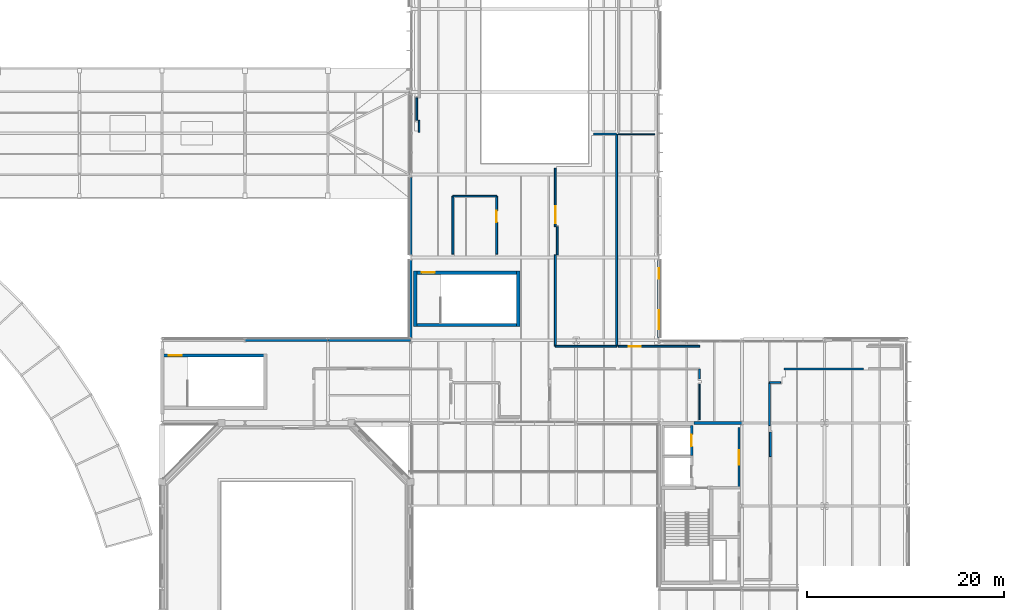
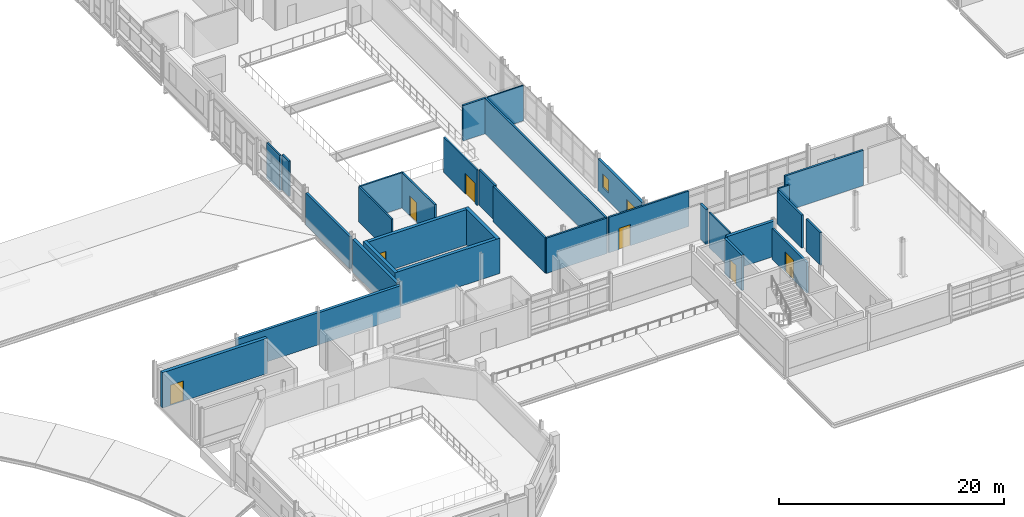
# One storey, part 122 of 151: 32 walls, 7 doors, 2 windows, 9 openings.
"""IFC4 building model written with IfcOpenShell, lengths in metres."""

from ifc_helpers import new_model, si_unit, direction, frame, frame_2d, origin, place, context, subcontext, project, spatial, rectangle, extrude, material, layer, layer_set, type_object, element, fill, save


model = new_model("IFC4")

# Units and contexts
model_context = context("Model", 3, precision=1e-05, world=origin(), true_north=direction((0.0, 1.0)))
body_context = subcontext(model_context, "Body", "Model", "MODEL_VIEW")
ifc_project = project(units=[si_unit("LENGTHUNIT", "METRE"), si_unit("AREAUNIT", "SQUARE_METRE"), si_unit("VOLUMEUNIT", "CUBIC_METRE"), si_unit("PLANEANGLEUNIT", "RADIAN"), si_unit("MASSUNIT", "GRAM", prefix="KILO")], contexts=[model_context])

# Site, building, storey
site_placement = place(None, origin())
site = spatial("IfcSite", under=ifc_project, at=site_placement, CompositionType="ELEMENT")
building_placement = place(site_placement, origin())
building = spatial("IfcBuilding", under=site, at=building_placement, Name="Mersafa Astral City Hall", CompositionType="ELEMENT")
storey_placement = place(building_placement, frame((0.0, 0.0, 9.89990234375)))
storey = spatial("IfcBuildingStorey", under=building, at=storey_placement, Name="L02", CompositionType="ELEMENT", Elevation=9.89990234375)

# Wall
ifc_material_1 = material(Name="Precast concrete C40/50 insulated terracotta spandrel", Category="masonry")
ifc_layer_1 = layer(ifc_material_1, 0.235107421875, Name="Precast concrete C40/50 insulated terracotta spandrel")
ifc_layer_set_1 = layer_set([ifc_layer_1], Name="Precast concrete C40/50 insulated terracotta spandrel — ENV-WAL-EXT-235")
wall_type_1 = type_object("IfcWallType", Name="ENV-WAL-EXT-235", PredefinedType="STANDARD", material=ifc_layer_set_1)
wall_1_placement = place(storey_placement, frame((92.39990234375, 50.12890625, 0.0), z_axis=(0.0, 0.0, 1.0), x_axis=(0.0, -1.0, 0.0)))
element("IfcWall", 1, at=wall_1_placement, inside=storey, type_object=wall_type_1, Name="L02 Limestone-clad exterior wall 221", PredefinedType="STANDARD", context=body_context, shape_type="SweptSolid", body=[
    extrude(rectangle(XDim=7.85791015625, YDim=0.235107421875, at=frame_2d((3.928955078125, 0.0))), origin(), (0.0, 0.0, 1.0), 3.47216796875),
])

# Wall, openings, windows
ifc_material_2 = material(Name="Precast concrete C40/50 insulated limestone wall", Category="masonry")
ifc_layer_2 = layer(ifc_material_2, 0.264892578125, Name="Precast concrete C40/50 insulated limestone wall")
ifc_layer_set_2 = layer_set([ifc_layer_2], Name="Precast concrete C40/50 insulated limestone wall — ENV-WAL-EXT-265")
wall_type_2 = type_object("IfcWallType", Name="ENV-WAL-EXT-265", PredefinedType="STANDARD", material=ifc_layer_set_2)
wall_2_placement = place(storey_placement, frame((117.60009765625, 33.87109375, 0.0), z_axis=(0.0, 0.0, 1.0), x_axis=(0.0, 1.0, 0.0)))
wall_2 = element("IfcWall", 2, at=wall_2_placement, inside=storey, type_object=wall_type_2, Name="L02 Limestone-clad exterior wall 171", PredefinedType="STANDARD", context=body_context, shape_type="SweptSolid", body=[
    extrude(rectangle(XDim=7.85791015625, YDim=0.264892578125, at=frame_2d((3.928955078125, 0.0))), origin(), (0.0, 0.0, 1.0), 3.47216796875),
])
opening_1_placement = place(wall_2_placement, frame((0.85009765625, 0.0, 0.89990234375)))
opening_1 = element("IfcOpeningElement", 3, at=opening_1_placement, cuts=wall_2, Name="Opening W-20", PredefinedType="OPENING", context=body_context, shape_type="SweptSolid", body=[
    extrude(rectangle(XDim=1.919921875, YDim=1.25, at=frame_2d((0.9599609375, 0.625))), frame((0.0, 0.142333984375, 0.0), z_axis=(0.0, -1.0, 0.0), x_axis=(1.0, 0.0, 0.0)), (0.0, 0.0, 1.0), 0.284912109375),
])
opening_2_placement = place(wall_2_placement, frame((5.988037109375, 0.0, 0.89990234375)))
opening_2 = element("IfcOpeningElement", 4, at=opening_2_placement, cuts=wall_2, Name="Opening W-21", PredefinedType="OPENING", context=body_context, shape_type="SweptSolid", body=[
    extrude(rectangle(XDim=1.02001953125, YDim=1.449951171875, at=frame_2d((0.510009765625, 0.72509765625))), frame((0.0, 0.142333984375, 0.0), z_axis=(0.0, -1.0, 0.0), x_axis=(1.0, 0.0, 0.0)), (0.0, 0.0, 1.0), 0.284912109375),
])
ifc_material_3 = material(Name="Solar control low-e double glazing in bronze frame", Category="glass")
window_type_1 = type_object("IfcWindowType", Name="ENV-WIN-W-20", PartitioningType="SINGLE_PANEL", PredefinedType="WINDOW", material=ifc_material_3)
window_1_placement = place(opening_1_placement, origin())
window_1 = element("IfcWindow", 5, at=window_1_placement, inside=storey, type_object=window_type_1, Name="L02 Solar punched window 171-L", OverallHeight=1.25, OverallWidth=1.919921875, PartitioningType="SINGLE_PANEL", PredefinedType="WINDOW", context=body_context, shape_type="SweptSolid", body=[
    extrude(rectangle(XDim=1.919921875, YDim=1.25, at=frame_2d((0.9599609375, 0.625))), frame((0.0, 0.030029296875, 0.0), z_axis=(0.0, -1.0, 0.0), x_axis=(1.0, 0.0, 0.0)), (0.0, 0.0, 1.0), 0.06005859375),
])
fill(opening_1, window_1)
window_type_2 = type_object("IfcWindowType", Name="ENV-WIN-W-21", PartitioningType="SINGLE_PANEL", PredefinedType="WINDOW", material=ifc_material_3)
window_2_placement = place(opening_2_placement, origin())
window_2 = element("IfcWindow", 6, at=window_2_placement, inside=storey, type_object=window_type_2, Name="L02 Solar punched window 171-R", OverallHeight=1.449951171875, OverallWidth=1.02001953125, PartitioningType="SINGLE_PANEL", PredefinedType="WINDOW", context=body_context, shape_type="SweptSolid", body=[
    extrude(rectangle(XDim=1.02001953125, YDim=1.449951171875, at=frame_2d((0.510009765625, 0.72509765625))), frame((0.0, 0.030029296875, 0.0), z_axis=(0.0, -1.0, 0.0), x_axis=(1.0, 0.0, 0.0)), (0.0, 0.0, 1.0), 0.06005859375),
])
fill(opening_2, window_2)

# Walls
ifc_layer_3 = layer(ifc_material_2, 0.280029296875, Name="Precast concrete C40/50 insulated limestone wall")
ifc_layer_set_3 = layer_set([ifc_layer_3], Name="Precast concrete C40/50 insulated limestone wall — ENV-WAL-EXT-280")
wall_type_3 = type_object("IfcWallType", Name="ENV-WAL-EXT-280", PredefinedType="STANDARD", material=ifc_layer_set_3)
wall_3_placement = place(storey_placement, frame((83.991943359375, 33.60009765625, 0.0), z_axis=(0.0, 0.0, 1.0), x_axis=(-1.0, 0.0, 0.0)))
element("IfcWall", 7, at=wall_3_placement, inside=storey, type_object=wall_type_3, Name="L02 Limestone-clad exterior wall 224", PredefinedType="STANDARD", context=body_context, shape_type="SweptSolid", body=[
    extrude(rectangle(XDim=8.384033203125, YDim=0.280029296875, at=frame_2d((4.19189453125, 0.0))), origin(), (0.0, 0.0, 1.0), 3.502197265625),
])
ifc_layer_4 = layer(ifc_material_2, 0.294921875, Name="Precast concrete C40/50 insulated limestone wall")
ifc_layer_set_4 = layer_set([ifc_layer_4], Name="Precast concrete C40/50 insulated limestone wall — ENV-WAL-EXT-295")
wall_type_4 = type_object("IfcWallType", Name="ENV-WAL-EXT-295", PredefinedType="STANDARD", material=ifc_layer_set_4)
wall_4_placement = place(storey_placement, frame((92.39208984375, 33.60009765625, 0.0), z_axis=(0.0, 0.0, 1.0), x_axis=(-1.0, 0.0, 0.0)))
element("IfcWall", 8, at=wall_4_placement, inside=storey, type_object=wall_type_4, Name="L02 Limestone-clad exterior wall 223", PredefinedType="STANDARD", context=body_context, shape_type="SweptSolid", body=[
    extrude(rectangle(XDim=8.384033203125, YDim=0.294921875, at=frame_2d((4.19189453125, 0.0))), origin(), (0.0, 0.0, 1.0), 3.47216796875),
])
ifc_layer_5 = layer(ifc_material_2, 0.31005859375, Name="Precast concrete C40/50 insulated limestone wall")
ifc_layer_set_5 = layer_set([ifc_layer_5], Name="Precast concrete C40/50 insulated limestone wall — ENV-WAL-EXT-310")
wall_type_5 = type_object("IfcWallType", Name="ENV-WAL-EXT-310", PredefinedType="STANDARD", material=ifc_layer_set_5)
wall_5_placement = place(storey_placement, frame((92.39990234375, 41.72900390625, 0.0), z_axis=(0.0, 0.0, 1.0), x_axis=(0.0, -1.0, 0.0)))
element("IfcWall", 9, at=wall_5_placement, inside=storey, type_object=wall_type_5, Name="L02 Limestone-clad exterior wall 222", PredefinedType="STANDARD", context=body_context, shape_type="SweptSolid", body=[
    extrude(rectangle(XDim=7.85791015625, YDim=0.31005859375, at=frame_2d((3.928955078125, 0.0))), origin(), (0.0, 0.0, 1.0), 3.56201171875),
])

# Wall, opening, door
ifc_material_4 = material(Name="Concrete C40/50", Category="concrete")
ifc_layer_6 = layer(ifc_material_4, 0.260009765625, Name="Concrete C40/50")
ifc_layer_set_6 = layer_set([ifc_layer_6], Name="Concrete C40/50 — INT-WAL-CORE-260")
wall_type_6 = type_object("IfcWallType", Name="INT-WAL-CORE-260", PredefinedType="SHEAR", material=ifc_layer_set_6)
wall_6_placement = place(storey_placement, frame((120.9150390625, 21.905029296875, 0.0), z_axis=(0.0, 0.0, 1.0), x_axis=(0.0, 1.0, 0.0)))
wall_6 = element("IfcWall", 10, at=wall_6_placement, inside=storey, type_object=wall_type_6, Name="L02 Lift LF10 front shaft wall", PredefinedType="SHEAR", context=body_context, shape_type="SweptSolid", body=[
    extrude(rectangle(XDim=3.06005859375, YDim=0.260009765625, at=frame_2d((1.530029296875, 0.0))), origin(), (0.0, 0.0, 1.0), 3.840087890625),
])
opening_3_placement = place(wall_6_placement, frame((0.929931640625, 0.0, 0.0)))
opening_3 = element("IfcOpeningElement", 11, at=opening_3_placement, cuts=wall_6, Name="Opening LD-2", PredefinedType="OPENING", context=body_context, shape_type="SweptSolid", body=[
    extrude(rectangle(XDim=1.199951171875, YDim=2.14990234375, at=frame_2d((0.60009765625, 1.074951171875))), frame((0.0, 0.139892578125, 0.0), z_axis=(0.0, -1.0, 0.0), x_axis=(1.0, 0.0, 0.0)), (0.0, 0.0, 1.0), 0.280029296875),
])
ifc_material_5 = material(Name="Heavy-duty sliding goods lift landing door", Category="metal")
door_type_1 = type_object("IfcDoorType", Name="INT-DR-LIFT-LD2", OperationType="NOTDEFINED", PredefinedType="DOOR", material=ifc_material_5)
door_1_placement = place(opening_3_placement, origin())
door_1 = element("IfcDoor", 12, at=door_1_placement, inside=storey, type_object=door_type_1, Name="Elevator LF10 Sliding Landing Door L02", OperationType="DOUBLE_DOOR_SLIDING", OverallHeight=2.14990234375, OverallWidth=1.199951171875, PredefinedType="DOOR", context=body_context, shape_type="SweptSolid", body=[
    extrude(rectangle(XDim=1.199951171875, YDim=2.14990234375, at=frame_2d((0.60009765625, 1.074951171875))), frame((0.0, 0.02490234375, 0.0), z_axis=(0.0, -1.0, 0.0), x_axis=(1.0, 0.0, 0.0)), (0.0, 0.0, 1.0), 0.050048828125),
])
fill(opening_3, door_1)

# Wall
ifc_layer_7 = layer(ifc_material_4, 0.300048828125, Name="Concrete C40/50")
ifc_layer_set_7 = layer_set([ifc_layer_7], Name="Concrete C40/50 — INT-WAL-CORE-300")
wall_type_7 = type_object("IfcWallType", Name="INT-WAL-CORE-300", PredefinedType="SHEAR", material=ifc_layer_set_7)
wall_7_placement = place(storey_placement, frame((121.14990234375, 25.2099609375, 0.0), z_axis=(0.0, 0.0, 1.0), x_axis=(1.0, 0.0, 0.0)))
element("IfcWall", 13, at=wall_7_placement, inside=storey, type_object=wall_type_7, Name="L02 Core K5 lobby north shear wall", PredefinedType="SHEAR", context=body_context, shape_type="SweptSolid", body=[
    extrude(rectangle(XDim=4.8701171875, YDim=0.300048828125, at=frame_2d((2.43505859375, 0.0))), origin(), (0.0, 0.0, 1.0), 3.840087890625),
])

# Wall, opening, door
ifc_layer_8 = layer(ifc_material_4, 0.340087890625, Name="Concrete C40/50")
ifc_layer_set_8 = layer_set([ifc_layer_8], Name="Concrete C40/50 — INT-WAL-CORE-340")
wall_type_8 = type_object("IfcWallType", Name="INT-WAL-CORE-340", PredefinedType="SHEAR", material=ifc_layer_set_8)
wall_8_placement = place(storey_placement, frame((67.034912109375, 32.054931640625, 0.0), z_axis=(0.0, 0.0, 1.0), x_axis=(1.0, 0.0, 0.0)))
wall_8 = element("IfcWall", 14, at=wall_8_placement, inside=storey, type_object=wall_type_8, Name="L02 Assembly stair K7 north wall", PredefinedType="SHEAR", context=body_context, shape_type="SweptSolid", body=[
    extrude(rectangle(XDim=10.7900390625, YDim=0.340087890625, at=frame_2d((5.39501953125, 0.0))), origin(), (0.0, 0.0, 1.0), 3.840087890625),
])
opening_4_placement = place(wall_8_placement, frame((0.820068359375, 0.0, 0.0)))
opening_4 = element("IfcOpeningElement", 15, at=opening_4_placement, cuts=wall_8, Name="Opening CD-2", PredefinedType="OPENING", context=body_context, shape_type="SweptSolid", body=[
    extrude(rectangle(XDim=1.35009765625, YDim=2.199951171875, at=frame_2d((0.675048828125, 1.10009765625))), frame((0.0, 0.179931640625, 0.0), z_axis=(0.0, -1.0, 0.0), x_axis=(1.0, 0.0, 0.0)), (0.0, 0.0, 1.0), 0.360107421875),
])
ifc_material_6 = material(Name="Fire-rated steel assembly stair door", Category="steel")
door_type_2 = type_object("IfcDoorType", Name="INT-DR-STAIR-FD90-1350", OperationType="NOTDEFINED", PredefinedType="DOOR", material=ifc_material_6)
door_2_placement = place(opening_4_placement, origin())
door_2 = element("IfcDoor", 16, at=door_2_placement, inside=storey, type_object=door_type_2, Name="L02 Assembly Stair ST7 Fire Door", OperationType="SINGLE_SWING_LEFT", OverallHeight=2.199951171875, OverallWidth=1.35009765625, PredefinedType="DOOR", context=body_context, shape_type="SweptSolid", body=[
    extrude(rectangle(XDim=1.35009765625, YDim=2.199951171875, at=frame_2d((0.675048828125, 1.10009765625))), frame((0.0, 0.02490234375, 0.0), z_axis=(0.0, -1.0, 0.0), x_axis=(1.0, 0.0, 0.0)), (0.0, 0.0, 1.0), 0.050048828125),
])
fill(opening_4, door_2)

# Walls
wall_9_placement = place(storey_placement, frame((92.705078125, 35.14501953125, 0.0), z_axis=(0.0, 0.0, 1.0), x_axis=(1.0, 0.0, 0.0)))
element("IfcWall", 17, at=wall_9_placement, inside=storey, type_object=wall_type_8, Name="L02 Assembly stair K8 south wall", PredefinedType="SHEAR", context=body_context, shape_type="SweptSolid", body=[
    extrude(rectangle(XDim=10.7900390625, YDim=0.340087890625, at=frame_2d((5.39501953125, 0.0))), origin(), (0.0, 0.0, 1.0), 3.840087890625),
])
for number, where, z_axis, x_axis, name in (
    (18, (92.875, 34.97509765625, 0.0), (0.0, 0.0, 1.0), (0.0, 1.0, 0.0), "L02 Assembly stair K8 west wall"),
    (19, (103.324951171875, 34.97509765625, 0.0), (0.0, 0.0, 1.0), (0.0, 1.0, 0.0), "L02 Assembly stair K8 east wall"),
):
    element("IfcWall", number, at=place(storey_placement, frame(where, z_axis=z_axis, x_axis=x_axis)), inside=storey, type_object=wall_type_8, Name=name, PredefinedType="SHEAR", context=body_context, shape_type="SweptSolid", body=[
        extrude(rectangle(XDim=5.64990234375, YDim=0.340087890625, at=frame_2d((2.824951171875, 0.0))), origin(), (0.0, 0.0, 1.0), 3.840087890625),
    ])

# Wall, opening, door
wall_10_placement = place(storey_placement, frame((92.705078125, 40.455078125, 0.0), z_axis=(0.0, 0.0, 1.0), x_axis=(1.0, 0.0, 0.0)))
wall_10 = element("IfcWall", 20, at=wall_10_placement, inside=storey, type_object=wall_type_8, Name="L02 Assembly stair K8 north wall", PredefinedType="SHEAR", context=body_context, shape_type="SweptSolid", body=[
    extrude(rectangle(XDim=10.7900390625, YDim=0.340087890625, at=frame_2d((5.39501953125, 0.0))), origin(), (0.0, 0.0, 1.0), 3.840087890625),
])
opening_5_placement = place(wall_10_placement, frame((0.820068359375, 0.0, 0.0)))
opening_5 = element("IfcOpeningElement", 21, at=opening_5_placement, cuts=wall_10, Name="Opening CD-2", PredefinedType="OPENING", context=body_context, shape_type="SweptSolid", body=[
    extrude(rectangle(XDim=1.35009765625, YDim=2.199951171875, at=frame_2d((0.675048828125, 1.10009765625))), frame((0.0, 0.179931640625, 0.0), z_axis=(0.0, -1.0, 0.0), x_axis=(1.0, 0.0, 0.0)), (0.0, 0.0, 1.0), 0.360107421875),
])
door_3_placement = place(opening_5_placement, origin())
door_3 = element("IfcDoor", 22, at=door_3_placement, inside=storey, type_object=door_type_2, Name="L02 Assembly Stair ST8 Fire Door", OperationType="SINGLE_SWING_LEFT", OverallHeight=2.199951171875, OverallWidth=1.35009765625, PredefinedType="DOOR", context=body_context, shape_type="SweptSolid", body=[
    extrude(rectangle(XDim=1.35009765625, YDim=2.199951171875, at=frame_2d((0.675048828125, 1.10009765625))), frame((0.0, 0.02490234375, 0.0), z_axis=(0.0, -1.0, 0.0), x_axis=(1.0, 0.0, 0.0)), (0.0, 0.0, 1.0), 0.050048828125),
])
fill(opening_5, door_3)

# Walls
ifc_material_7 = material(Name="Acoustic steel-stud gypsum partition", Category="steel")
ifc_layer_9 = layer(ifc_material_7, 0.1201171875, Name="Acoustic steel-stud gypsum partition")
ifc_layer_set_9 = layer_set([ifc_layer_9], Name="Acoustic steel-stud gypsum partition — INT-WAL-PART-EI30-120")
wall_type_9 = type_object("IfcWallType", Name="INT-WAL-PART-EI30-120", PredefinedType="STANDARD", material=ifc_layer_set_9)
wall_11_placement = place(storey_placement, frame((113.489990234375, 54.510009765625, -0.00390625), z_axis=(0.0, 0.0, 1.0), x_axis=(1.0, 0.0, 0.0)))
element("IfcWall", 23, at=wall_11_placement, inside=storey, type_object=wall_type_9, Name="L02 Interior partition wall 449", PredefinedType="STANDARD", context=body_context, shape_type="SweptSolid", body=[
    extrude(rectangle(XDim=3.68994140625, YDim=0.1201171875, at=frame_2d((1.844970703125, 0.0))), origin(), (0.0, 0.0, 1.0), 3.843994140625),
])
ifc_layer_10 = layer(ifc_material_7, 0.14990234375, Name="Acoustic steel-stud gypsum partition")
ifc_layer_set_10 = layer_set([ifc_layer_10], Name="Acoustic steel-stud gypsum partition — INT-WAL-PART-EI30-150")
wall_type_10 = type_object("IfcWallType", Name="INT-WAL-PART-EI30-150", PredefinedType="STANDARD", material=ifc_layer_set_10)
wall_12_placement = place(storey_placement, frame((121.7099609375, 29.139892578125, -0.00390625), z_axis=(0.0, 0.0, 1.0), x_axis=(0.0, -1.0, 0.0)))
element("IfcWall", 24, at=wall_12_placement, inside=storey, type_object=wall_type_10, Name="L02 Interior partition wall 513", PredefinedType="STANDARD", context=body_context, shape_type="SweptSolid", body=[
    extrude(rectangle(XDim=3.599853515625, YDim=0.14990234375, at=frame_2d((1.7998046875, 0.0))), origin(), (0.0, 0.0, 1.0), 3.843994140625),
])

# Wall, opening, door
ifc_material_8 = material(Name="Fire-rated gypsum stud partition", Category="gypsum")
ifc_layer_11 = layer(ifc_material_8, 0.1650390625, Name="Fire-rated gypsum stud partition")
ifc_layer_set_11 = layer_set([ifc_layer_11], Name="Fire-rated gypsum stud partition — INT-WAL-PART-EI60-165")
wall_type_11 = type_object("IfcWallType", Name="INT-WAL-PART-EI60-165", PredefinedType="STANDARD", material=ifc_layer_set_11)
wall_13_placement = place(storey_placement, frame((107.080078125, 45.1201171875, -0.00390625), z_axis=(0.0, 0.0, 1.0), x_axis=(0.0, 1.0, 0.0)))
wall_13 = element("IfcWall", 25, at=wall_13_placement, inside=storey, type_object=wall_type_11, Name="L02 Interior partition wall 423", PredefinedType="STANDARD", context=body_context, shape_type="SweptSolid", body=[
    extrude(rectangle(XDim=5.93994140625, YDim=0.1650390625, at=frame_2d((2.969970703125, 0.0))), origin(), (0.0, 0.0, 1.0), 3.843994140625),
])
opening_6_placement = place(wall_13_placement, frame((0.360107421875, 0.0, 0.0)))
opening_6 = element("IfcOpeningElement", 26, at=opening_6_placement, cuts=wall_13, Name="Opening D-27", PredefinedType="OPENING", context=body_context, shape_type="SweptSolid", body=[
    extrude(rectangle(XDim=1.719970703125, YDim=2.219970703125, at=frame_2d((0.85986328125, 1.10986328125))), frame((0.0, 0.092529296875, 0.0), z_axis=(0.0, -1.0, 0.0), x_axis=(1.0, 0.0, 0.0)), (0.0, 0.0, 1.0), 0.18505859375),
])
ifc_material_9 = material(Name="Cedar veneered acoustic fire-rated timber door", Category="wood")
door_type_3 = type_object("IfcDoorType", Name="INT-DR-RM-D-27", OperationType="NOTDEFINED", PredefinedType="DOOR", material=ifc_material_9)
door_4_placement = place(opening_6_placement, origin())
door_4 = element("IfcDoor", 27, at=door_4_placement, inside=storey, type_object=door_type_3, Name="L02 Library Stack L02-05 Entrance Door", OperationType="SINGLE_SWING_LEFT", OverallHeight=2.219970703125, OverallWidth=1.719970703125, PredefinedType="DOOR", context=body_context, shape_type="SweptSolid", body=[
    extrude(rectangle(XDim=1.719970703125, YDim=2.219970703125, at=frame_2d((0.85986328125, 1.10986328125))), frame((0.0, 0.02490234375, 0.0), z_axis=(0.0, -1.0, 0.0), x_axis=(1.0, 0.0, 0.0)), (0.0, 0.0, 1.0), 0.050048828125),
])
fill(opening_6, door_4)

# Walls
wall_14_placement = place(storey_placement, frame((93.27001953125, 55.89990234375, -0.00390625), z_axis=(0.0, 0.0, 1.0), x_axis=(0.0, -1.0, 0.0)))
element("IfcWall", 28, at=wall_14_placement, inside=storey, type_object=wall_type_11, Name="L02 Interior partition wall 495", PredefinedType="STANDARD", context=body_context, shape_type="SweptSolid", body=[
    extrude(rectangle(XDim=1.2099609375, YDim=0.1650390625, at=frame_2d((0.60498046875, 0.0))), origin(), (0.0, 0.0, 1.0), 3.843994140625),
])
wall_15_placement = place(storey_placement, frame((96.68994140625, 48.219970703125, -0.00390625), z_axis=(0.0, 0.0, 1.0), x_axis=(1.0, 0.0, 0.0)))
element("IfcWall", 29, at=wall_15_placement, inside=storey, type_object=wall_type_11, Name="L02 Interior partition wall 507", PredefinedType="STANDARD", context=body_context, shape_type="SweptSolid", body=[
    extrude(rectangle(XDim=4.43994140625, YDim=0.1650390625, at=frame_2d((2.219970703125, 0.0))), origin(), (0.0, 0.0, 1.0), 3.843994140625),
])
wall_16_placement = place(storey_placement, frame((128.800048828125, 29.31005859375, -0.00390625), z_axis=(0.0, 0.0, 1.0), x_axis=(1.0, 0.0, 0.0)))
element("IfcWall", 30, at=wall_16_placement, inside=storey, type_object=wall_type_11, Name="L02 Interior partition wall 539", PredefinedType="STANDARD", context=body_context, shape_type="SweptSolid", body=[
    extrude(rectangle(XDim=1.139892578125, YDim=0.1650390625, at=frame_2d((0.56982421875, 0.0))), origin(), (0.0, 0.0, 1.0), 3.843994140625),
])
ifc_material_10 = material(Name="Acoustic twin-stud gypsum partition", Category="gypsum")
ifc_layer_12 = layer(ifc_material_10, 0.179931640625, Name="Acoustic twin-stud gypsum partition")
ifc_layer_set_12 = layer_set([ifc_layer_12], Name="Acoustic twin-stud gypsum partition — INT-WAL-PART-EI60-180")
wall_type_12 = type_object("IfcWallType", Name="INT-WAL-PART-EI60-180", PredefinedType="STANDARD", material=ifc_layer_set_12)
wall_17_placement = place(storey_placement, frame((107.280029296875, 42.260009765625, -0.00390625), z_axis=(0.0, 0.0, 1.0), x_axis=(0.0, 1.0, 0.0)))
element("IfcWall", 31, at=wall_17_placement, inside=storey, type_object=wall_type_12, Name="L02 Interior partition wall 422", PredefinedType="STANDARD", context=body_context, shape_type="SweptSolid", body=[
    extrude(rectangle(XDim=2.860107421875, YDim=0.179931640625, at=frame_2d((1.43017578125, 0.0))), origin(), (0.0, 0.0, 1.0), 3.843994140625),
])
wall_18_placement = place(storey_placement, frame((113.31005859375, 32.97998046875, -0.00390625), z_axis=(0.0, 0.0, 1.0), x_axis=(-1.0, 0.0, 0.0)))
element("IfcWall", 32, at=wall_18_placement, inside=storey, type_object=wall_type_12, Name="L02 Interior partition wall 426", PredefinedType="STANDARD", context=body_context, shape_type="SweptSolid", body=[
    extrude(rectangle(XDim=6.22998046875, YDim=0.179931640625, at=frame_2d((3.114990234375, 0.0))), origin(), (0.0, 0.0, 1.0), 3.843994140625),
])

# Wall, opening, door
wall_19_placement = place(storey_placement, frame((121.7099609375, 32.97998046875, -0.00390625), z_axis=(0.0, 0.0, 1.0), x_axis=(-1.0, 0.0, 0.0)))
wall_19 = element("IfcWall", 33, at=wall_19_placement, inside=storey, type_object=wall_type_12, Name="L02 Interior partition wall 450", PredefinedType="STANDARD", context=body_context, shape_type="SweptSolid", body=[
    extrude(rectangle(XDim=8.219970703125, YDim=0.179931640625, at=frame_2d((4.10986328125, 0.0))), origin(), (0.0, 0.0, 1.0), 3.843994140625),
])
opening_7_placement = place(wall_19_placement, frame((5.986083984375, 0.0, 0.0)))
opening_7 = element("IfcOpeningElement", 34, at=opening_7_placement, cuts=wall_19, Name="Opening D-32", PredefinedType="OPENING", context=body_context, shape_type="SweptSolid", body=[
    extrude(rectangle(XDim=1.179931640625, YDim=2.300048828125, at=frame_2d((0.58984375, 1.14990234375))), frame((0.0, 0.099853515625, 0.0), z_axis=(0.0, -1.0, 0.0), x_axis=(1.0, 0.0, 0.0)), (0.0, 0.0, 1.0), 0.199951171875),
])
door_type_4 = type_object("IfcDoorType", Name="INT-DR-RM-D-32", OperationType="NOTDEFINED", PredefinedType="DOOR", material=ifc_material_9)
door_5_placement = place(opening_7_placement, origin())
door_5 = element("IfcDoor", 35, at=door_5_placement, inside=storey, type_object=door_type_4, Name="L02 Public Restroom L02-10 Entrance Door", OperationType="SINGLE_SWING_RIGHT", OverallHeight=2.300048828125, OverallWidth=1.179931640625, PredefinedType="DOOR", context=body_context, shape_type="SweptSolid", body=[
    extrude(rectangle(XDim=1.179931640625, YDim=2.300048828125, at=frame_2d((0.58984375, 1.14990234375))), frame((0.0, 0.02490234375, 0.0), z_axis=(0.0, -1.0, 0.0), x_axis=(1.0, 0.0, 0.0)), (0.0, 0.0, 1.0), 0.050048828125),
])
fill(opening_7, door_5)

# Walls
wall_20_placement = place(storey_placement, frame((93.02001953125, 58.179931640625, -0.00390625), z_axis=(0.0, 0.0, 1.0), x_axis=(0.0, -1.0, 0.0)))
element("IfcWall", 36, at=wall_20_placement, inside=storey, type_object=wall_type_12, Name="L02 Interior partition wall 494", PredefinedType="STANDARD", context=body_context, shape_type="SweptSolid", body=[
    extrude(rectangle(XDim=2.280029296875, YDim=0.179931640625, at=frame_2d((1.14013671875, 0.0))), origin(), (0.0, 0.0, 1.0), 3.843994140625),
])
wall_21_placement = place(storey_placement, frame((96.68994140625, 42.340087890625, -0.00390625), z_axis=(0.0, 0.0, 1.0), x_axis=(0.0, 1.0, 0.0)))
element("IfcWall", 37, at=wall_21_placement, inside=storey, type_object=wall_type_12, Name="L02 Interior partition wall 506", PredefinedType="STANDARD", context=body_context, shape_type="SweptSolid", body=[
    extrude(rectangle(XDim=5.8798828125, YDim=0.179931640625, at=frame_2d((2.93994140625, 0.0))), origin(), (0.0, 0.0, 1.0), 3.843994140625),
])
wall_22_placement = place(storey_placement, frame((128.800048828125, 24.936279296875, -0.00390625), z_axis=(0.0, 0.0, 1.0), x_axis=(0.0, 1.0, 0.0)))
element("IfcWall", 38, at=wall_22_placement, inside=storey, type_object=wall_type_12, Name="L02 Interior partition wall 538", PredefinedType="STANDARD", context=body_context, shape_type="SweptSolid", body=[
    extrude(rectangle(XDim=4.373779296875, YDim=0.179931640625, at=frame_2d((2.18701171875, 0.0))), origin(), (0.0, 0.0, 1.0), 3.595947265625),
])
wall_23_placement = place(storey_placement, frame((128.89990234375, 21.79931640625, -0.00390625), z_axis=(0.0, 0.0, 1.0), x_axis=(0.0, 1.0, 0.0)))
element("IfcWall", 39, at=wall_23_placement, inside=storey, type_object=wall_type_12, Name="L02 Interior partition wall 546", PredefinedType="STANDARD", context=body_context, shape_type="SweptSolid", body=[
    extrude(rectangle(XDim=2.480712890625, YDim=0.179931640625, at=frame_2d((1.240234375, 0.0))), origin(), (0.0, 0.0, 1.0), 3.56591796875),
])
ifc_layer_13 = layer(ifc_material_10, 0.195068359375, Name="Acoustic twin-stud gypsum partition")
ifc_layer_set_13 = layer_set([ifc_layer_13], Name="Acoustic twin-stud gypsum partition — INT-WAL-PART-EI60-195")
wall_type_13 = type_object("IfcWallType", Name="INT-WAL-PART-EI60-195", PredefinedType="STANDARD", material=ifc_layer_set_13)
wall_24_placement = place(storey_placement, frame((107.080078125, 32.97998046875, -0.00390625), z_axis=(0.0, 0.0, 1.0), x_axis=(0.0, 1.0, 0.0)))
element("IfcWall", 40, at=wall_24_placement, inside=storey, type_object=wall_type_13, Name="L02 Interior partition wall 421", PredefinedType="STANDARD", context=body_context, shape_type="SweptSolid", body=[
    extrude(rectangle(XDim=9.280029296875, YDim=0.195068359375, at=frame_2d((4.64013671875, 0.0))), origin(), (0.0, 0.0, 1.0), 3.843994140625),
])
wall_25_placement = place(storey_placement, frame((113.31005859375, 54.510009765625, -0.00390625), z_axis=(0.0, 0.0, 1.0), x_axis=(0.0, -1.0, 0.0)))
element("IfcWall", 41, at=wall_25_placement, inside=storey, type_object=wall_type_13, Name="L02 Interior partition wall 425", PredefinedType="STANDARD", context=body_context, shape_type="SweptSolid", body=[
    extrude(rectangle(XDim=21.530029296875, YDim=0.195068359375, at=frame_2d((10.76513671875, 0.0))), origin(), (0.0, 0.0, 1.0), 3.843994140625),
])

# Wall, opening, door
wall_26_placement = place(storey_placement, frame((101.1298828125, 48.219970703125, -0.00390625), z_axis=(0.0, 0.0, 1.0), x_axis=(0.0, -1.0, 0.0)))
wall_26 = element("IfcWall", 42, at=wall_26_placement, inside=storey, type_object=wall_type_13, Name="L02 Interior partition wall 505", PredefinedType="STANDARD", context=body_context, shape_type="SweptSolid", body=[
    extrude(rectangle(XDim=5.8798828125, YDim=0.195068359375, at=frame_2d((2.93994140625, 0.0))), origin(), (0.0, 0.0, 1.0), 3.843994140625),
])
opening_8_placement = place(wall_26_placement, frame((1.468017578125, 0.0, 0.0)))
opening_8 = element("IfcOpeningElement", 43, at=opening_8_placement, cuts=wall_26, Name="Opening D-14", PredefinedType="OPENING", context=body_context, shape_type="SweptSolid", body=[
    extrude(rectangle(XDim=1.179931640625, YDim=2.139892578125, at=frame_2d((0.58984375, 1.06982421875))), frame((0.0, 0.107421875, 0.0), z_axis=(0.0, -1.0, 0.0), x_axis=(1.0, 0.0, 0.0)), (0.0, 0.0, 1.0), 0.215087890625),
])
door_type_5 = type_object("IfcDoorType", Name="INT-DR-RM-D-14", OperationType="NOTDEFINED", PredefinedType="DOOR", material=ifc_material_9)
door_6_placement = place(opening_8_placement, origin())
door_6 = element("IfcDoor", 44, at=door_6_placement, inside=storey, type_object=door_type_5, Name="L02 Public Restroom L02-28 Entrance Door", OperationType="SINGLE_SWING_RIGHT", OverallHeight=2.139892578125, OverallWidth=1.179931640625, PredefinedType="DOOR", context=body_context, shape_type="SweptSolid", body=[
    extrude(rectangle(XDim=1.179931640625, YDim=2.139892578125, at=frame_2d((0.58984375, 1.06982421875))), frame((0.0, 0.02490234375, 0.0), z_axis=(0.0, -1.0, 0.0), x_axis=(1.0, 0.0, 0.0)), (0.0, 0.0, 1.0), 0.050048828125),
])
fill(opening_8, door_6)

ifc_material_11 = material(Name="Autoclaved aerated concrete blockwork plastered", Category="masonry")
ifc_layer_14 = layer(ifc_material_11, 0.2099609375, Name="Autoclaved aerated concrete blockwork plastered")
ifc_layer_set_14 = layer_set([ifc_layer_14], Name="Autoclaved aerated concrete blockwork plastered — INT-WAL-PART-EI60-210")
wall_type_14 = type_object("IfcWallType", Name="INT-WAL-PART-EI60-210", PredefinedType="STANDARD", material=ifc_layer_set_14)
wall_27_placement = place(storey_placement, frame((125.699951171875, 18.639892578125, 0.0), z_axis=(0.0, 0.0, 1.0), x_axis=(0.0, 1.0, 0.0)))
wall_27 = element("IfcWall", 45, at=wall_27_placement, inside=storey, type_object=wall_type_14, Name="L02 Core K5 lobby corridor partition", PredefinedType="STANDARD", context=body_context, shape_type="SweptSolid", body=[
    extrude(rectangle(XDim=6.1201171875, YDim=0.2099609375, at=frame_2d((3.06005859375, 0.0))), origin(), (0.0, 0.0, 1.0), 3.342041015625),
])
opening_9_placement = place(wall_27_placement, frame((2.31005859375, 0.0, 0.0)))
opening_9 = element("IfcOpeningElement", 46, at=opening_9_placement, cuts=wall_27, Name="Opening CD-3", PredefinedType="OPENING", context=body_context, shape_type="SweptSolid", body=[
    extrude(rectangle(XDim=1.5, YDim=2.199951171875, at=frame_2d((0.75, 1.10009765625))), frame((0.0, 0.114990234375, 0.0), z_axis=(0.0, -1.0, 0.0), x_axis=(1.0, 0.0, 0.0)), (0.0, 0.0, 1.0), 0.22998046875),
])
ifc_material_12 = material(Name="Fire-rated glazed lobby door pair", Category="metal")
door_type_6 = type_object("IfcDoorType", Name="INT-DR-LOBBY-FD90-1500", OperationType="NOTDEFINED", PredefinedType="DOOR", material=ifc_material_12)
door_7_placement = place(opening_9_placement, origin())
door_7 = element("IfcDoor", 47, at=door_7_placement, inside=storey, type_object=door_type_6, Name="L02 K5 Lift Lobby Fire Door", OperationType="DOUBLE_DOOR_SINGLE_SWING", OverallHeight=2.199951171875, OverallWidth=1.5, PredefinedType="DOOR", context=body_context, shape_type="SweptSolid", body=[
    extrude(rectangle(XDim=1.5, YDim=2.199951171875, at=frame_2d((0.75, 1.10009765625))), frame((0.0, 0.02490234375, 0.0), z_axis=(0.0, -1.0, 0.0), x_axis=(1.0, 0.0, 0.0)), (0.0, 0.0, 1.0), 0.050048828125),
])
fill(opening_9, door_7)

# Walls
wall_28_placement = place(storey_placement, frame((110.93994140625, 54.510009765625, -0.00390625), z_axis=(0.0, 0.0, 1.0), x_axis=(1.0, 0.0, 0.0)))
element("IfcWall", 48, at=wall_28_placement, inside=storey, type_object=wall_type_14, Name="L02 Interior partition wall 424", PredefinedType="STANDARD", context=body_context, shape_type="SweptSolid", body=[
    extrude(rectangle(XDim=2.3701171875, YDim=0.2099609375, at=frame_2d((1.18505859375, 0.0))), origin(), (0.0, 0.0, 1.0), 3.843994140625),
])
wall_29_placement = place(storey_placement, frame((121.7099609375, 30.699951171875, -0.00390625), z_axis=(0.0, 0.0, 1.0), x_axis=(0.0, -1.0, 0.0)))
element("IfcWall", 49, at=wall_29_placement, inside=storey, type_object=wall_type_14, Name="L02 Interior partition wall 512", PredefinedType="STANDARD", context=body_context, shape_type="SweptSolid", body=[
    extrude(rectangle(XDim=1.0400390625, YDim=0.2099609375, at=frame_2d((0.52001953125, 0.0))), origin(), (0.0, 0.0, 1.0), 3.843994140625),
])
wall_30_placement = place(storey_placement, frame((130.2900390625, 30.699951171875, -0.00390625), z_axis=(0.0, 0.0, 1.0), x_axis=(1.0, 0.0, 0.0)))
element("IfcWall", 50, at=wall_30_placement, inside=storey, type_object=wall_type_14, Name="L02 Interior partition wall 540", PredefinedType="STANDARD", context=body_context, shape_type="SweptSolid", body=[
    extrude(rectangle(XDim=8.050048828125, YDim=0.2099609375, at=frame_2d((4.02490234375, 0.0))), origin(), (0.0, 0.0, 1.0), 3.843994140625),
])

save(model, "model.ifc")
